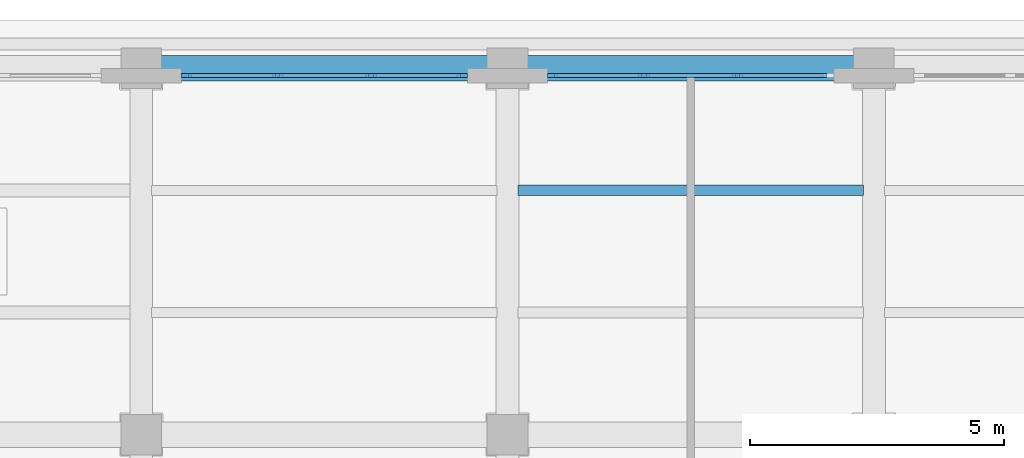
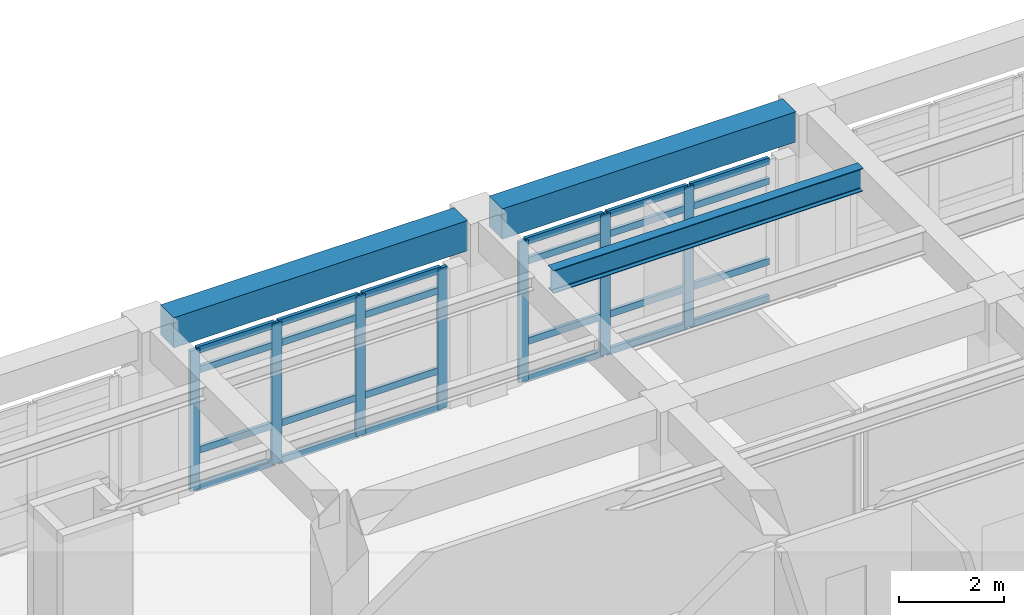
# One storey, part 56 of 98: 31 members, 3 beams, 2 elements without a shape of their own.
"""IFC4 building model written with IfcOpenShell, lengths in metres."""

from ifc_helpers import new_model, si_unit, direction, frame, origin, origin_2d, place, context, subcontext, project, spatial, rectangle, i_section, extrude, material, layer, layer_set, material_profile, profile_set, type_object, element, aggregate, save


model = new_model("IFC4")

# Units and contexts
model_context = context("Model", 3, precision=1e-05, world=origin(), true_north=direction((0.0, 1.0)))
body_context = subcontext(model_context, "Body", "Model", "MODEL_VIEW")
ifc_project = project(units=[si_unit("LENGTHUNIT", "METRE"), si_unit("AREAUNIT", "SQUARE_METRE"), si_unit("VOLUMEUNIT", "CUBIC_METRE"), si_unit("PLANEANGLEUNIT", "RADIAN"), si_unit("MASSUNIT", "GRAM", prefix="KILO")], contexts=[model_context])

# Site, building, storey
site_placement = place(None, origin())
site = spatial("IfcSite", under=ifc_project, at=site_placement, CompositionType="ELEMENT")
building_placement = place(site_placement, origin())
building = spatial("IfcBuilding", under=site, at=building_placement, Name="Solenvale Faculty of Natural Sciences", CompositionType="ELEMENT")
storey_placement = place(building_placement, frame((0.0, 0.0, 9.0)))
storey = spatial("IfcBuildingStorey", under=building, at=storey_placement, Name="L02", CompositionType="ELEMENT", Elevation=9.0)

# Beams
ifc_material_1 = material(Name="Precast concrete 40 MPa", Category="concrete")
ifc_material_profile_1 = material_profile(ifc_material_1, rectangle(XDim=0.5, YDim=0.699951171875, at=origin_2d()), Name="RC-BM-500x700")
ifc_profile_set_1 = profile_set([ifc_material_profile_1], Name="Precast concrete 40 MPa")
beam_type_1 = type_object("IfcBeamType", Name="BM-SPN-PRC-700", PredefinedType="SPANDREL", material=ifc_profile_set_1)
for number, where, z_axis, x_axis, name in (
    (1, (115.580078125, 115.199951171875, 3.8701171875), (1.0, 0.0, 0.0), (0.0, 1.0, 0.0), "L02 X-Girder Y115.2 (115.2..122.4)"),
    (2, (122.780029296875, 115.199951171875, 3.8701171875), (1.0, 0.0, 0.0), (0.0, 1.0, 0.0), "L02 X-Girder Y115.2 (122.4..129.6)"),
):
    element("IfcBeam", number, at=place(storey_placement, frame(where, z_axis=z_axis, x_axis=x_axis)), inside=storey, type_object=beam_type_1, Name=name, PredefinedType="SPANDREL", context=body_context, shape_type="SweptSolid", body=[
        extrude(rectangle(XDim=0.5, YDim=0.699951171875, at=origin_2d()), origin(), (0.0, 0.0, 1.0), 6.43994140625),
    ])
ifc_material_2 = material(Name="Steel S355", Category="steel")
ifc_material_profile_2 = material_profile(ifc_material_2, i_section(OverallWidth=0.208984375, OverallDepth=0.532958984375, WebThickness=0.01025390625, FlangeThickness=0.015625, FilletRadius=0.01904296875, at=origin_2d()), Name="W530x92")
ifc_profile_set_2 = profile_set([ifc_material_profile_2], Name="Steel S355")
beam_type_2 = type_object("IfcBeamType", Name="BM-STL-W530x92", PredefinedType="JOIST", material=ifc_profile_set_2)
beam_placement = place(storey_placement, frame((122.60498046875, 112.800048828125, 3.95361328125), z_axis=(1.0, 0.0, 0.0), x_axis=(0.0, 1.0, 0.0)))
element("IfcBeam", 3, at=beam_placement, inside=storey, type_object=beam_type_2, Name="L02 Composite Floor Joist (18,16).2", PredefinedType="JOIST", context=body_context, shape_type="SweptSolid", body=[
    extrude(i_section(OverallWidth=0.208984375, OverallDepth=0.532958984375, WebThickness=0.01025390625, FlangeThickness=0.015625, FilletRadius=0.01904296875, at=origin_2d()), origin(), (0.0, 0.0, 1.0), 6.7900390625),
])

# Curtain wall, members
ifc_material_3 = material(Name="Anodised bronze aluminium", Category="aluminium")
ifc_layer = layer(ifc_material_3, 0.179931640625)
ifc_layer_set = layer_set([ifc_layer], Name="Anodised bronze aluminium")
curtain_wall_type = type_object("IfcCurtainWallType", Name="CW-TWR-MOD", PredefinedType="USERDEFINED", material=ifc_layer_set)
curtain_wall_1_placement = place(storey_placement, origin())
curtain_wall_1 = element("IfcCurtainWall", 4, at=curtain_wall_1_placement, inside=storey, type_object=curtain_wall_type, Name="L02 Curtain Wall CW-L02-P2-E4-B4", ObjectType="UNITISED CURTAIN WALL", PredefinedType="USERDEFINED")
ifc_material_profile_3 = material_profile(ifc_material_3, rectangle(XDim=0.074951171875, YDim=0.2099609375, at=origin_2d()), Name="ALU-MUL-75x210")
ifc_profile_set_3 = profile_set([ifc_material_profile_3], Name="Anodised bronze aluminium")
member_type_1 = type_object("IfcMemberType", Name="CWM-ALU-75x210", PredefinedType="MULLION", material=ifc_profile_set_3)
member_1_placement = place(storey_placement, frame((126.916748046875, 115.0576171875, 0.0), z_axis=(0.0, 0.0, 1.0), x_axis=(0.0, -1.0, 0.0)))
member_1 = element("IfcMember", 5, at=member_1_placement, type_object=member_type_1, Name="CW-04 mullion 2", PredefinedType="MULLION", context=body_context, shape_type="SweptSolid", body=[
    extrude(rectangle(XDim=0.074951171875, YDim=0.2099609375, at=origin_2d()), origin(), (0.0, 0.0, 1.0), 3.260009765625),
])
member_2_placement = place(storey_placement, frame((125.083251953125, 115.0576171875, 0.0), z_axis=(0.0, 0.0, 1.0), x_axis=(0.0, -1.0, 0.0)))
member_2 = element("IfcMember", 6, at=member_2_placement, type_object=member_type_1, Name="CW-04 mullion 3", PredefinedType="MULLION", context=body_context, shape_type="SweptSolid", body=[
    extrude(rectangle(XDim=0.074951171875, YDim=0.2099609375, at=origin_2d()), origin(), (0.0, 0.0, 1.0), 3.260009765625),
])
member_3_placement = place(storey_placement, frame((123.28759765625, 115.0576171875, 0.0), z_axis=(0.0, 0.0, 1.0), x_axis=(0.0, -1.0, 0.0)))
member_3 = element("IfcMember", 7, at=member_3_placement, type_object=member_type_1, Name="CW-04 mullion 4", PredefinedType="MULLION", context=body_context, shape_type="SweptSolid", body=[
    extrude(rectangle(XDim=0.074951171875, YDim=0.2099609375, at=origin_2d()), origin(), (0.0, 0.0, 1.0), 3.260009765625),
])

curtain_wall_2_placement = place(storey_placement, origin())
curtain_wall_2 = element("IfcCurtainWall", 8, at=curtain_wall_2_placement, inside=storey, type_object=curtain_wall_type, Name="L02 Curtain Wall CW-L02-P2-E4-B5", ObjectType="UNITISED CURTAIN WALL", PredefinedType="USERDEFINED")
member_4_placement = place(storey_placement, frame((121.512451171875, 115.0576171875, 0.0), z_axis=(0.0, 0.0, 1.0), x_axis=(0.0, -1.0, 0.0)))
member_4 = element("IfcMember", 9, at=member_4_placement, type_object=member_type_1, Name="CW-04 mullion 1", PredefinedType="MULLION", context=body_context, shape_type="SweptSolid", body=[
    extrude(rectangle(XDim=0.074951171875, YDim=0.2099609375, at=origin_2d()), origin(), (0.0, 0.0, 1.0), 3.260009765625),
])
member_5_placement = place(storey_placement, frame((119.716552734375, 115.0576171875, 0.0), z_axis=(0.0, 0.0, 1.0), x_axis=(0.0, -1.0, 0.0)))
member_5 = element("IfcMember", 10, at=member_5_placement, type_object=member_type_1, Name="CW-04 mullion 2", PredefinedType="MULLION", context=body_context, shape_type="SweptSolid", body=[
    extrude(rectangle(XDim=0.074951171875, YDim=0.2099609375, at=origin_2d()), origin(), (0.0, 0.0, 1.0), 3.260009765625),
])
member_6_placement = place(storey_placement, frame((117.88330078125, 115.0576171875, 0.0), z_axis=(0.0, 0.0, 1.0), x_axis=(0.0, -1.0, 0.0)))
member_6 = element("IfcMember", 11, at=member_6_placement, type_object=member_type_1, Name="CW-04 mullion 3", PredefinedType="MULLION", context=body_context, shape_type="SweptSolid", body=[
    extrude(rectangle(XDim=0.074951171875, YDim=0.2099609375, at=origin_2d()), origin(), (0.0, 0.0, 1.0), 3.260009765625),
])
member_7_placement = place(storey_placement, frame((116.08740234375, 115.0576171875, 0.0), z_axis=(0.0, 0.0, 1.0), x_axis=(0.0, -1.0, 0.0)))
member_7 = element("IfcMember", 12, at=member_7_placement, type_object=member_type_1, Name="CW-04 mullion 4", PredefinedType="MULLION", context=body_context, shape_type="SweptSolid", body=[
    extrude(rectangle(XDim=0.074951171875, YDim=0.2099609375, at=origin_2d()), origin(), (0.0, 0.0, 1.0), 3.260009765625),
])

# Member
ifc_material_profile_4 = material_profile(ifc_material_3, rectangle(XDim=0.074951171875, YDim=0.155029296875, at=origin_2d()), Name="ALU-TRN-75x155")
ifc_profile_set_4 = profile_set([ifc_material_profile_4], Name="Anodised bronze aluminium")
member_type_2 = type_object("IfcMemberType", Name="CWT-ALU-75x155", PredefinedType="USERDEFINED", material=ifc_profile_set_4)
member_8_placement = place(storey_placement, frame((128.675048828125, 115.0576171875, 0.03759765625), z_axis=(-1.0, 0.0, 0.0), x_axis=(0.0, -1.0, 0.0)))
member_8 = element("IfcMember", 13, at=member_8_placement, type_object=member_type_2, Name="CW-04 transom 1.1", ObjectType="TRANSOM", PredefinedType="USERDEFINED", context=body_context, shape_type="SweptSolid", body=[
    extrude(rectangle(XDim=0.074951171875, YDim=0.155029296875, at=origin_2d()), origin(), (0.0, 0.0, 1.0), 1.720947265625),
])

member_9_placement = place(storey_placement, frame((128.675048828125, 115.0576171875, 0.89990234375), z_axis=(-1.0, 0.0, 0.0), x_axis=(0.0, -1.0, 0.0)))
member_9 = element("IfcMember", 14, at=member_9_placement, type_object=member_type_2, Name="CW-04 transom 1.2", ObjectType="TRANSOM", PredefinedType="USERDEFINED", context=body_context, shape_type="SweptSolid", body=[
    extrude(rectangle(XDim=0.074951171875, YDim=0.155029296875, at=origin_2d()), origin(), (0.0, 0.0, 1.0), 1.720947265625),
])

member_10_placement = place(storey_placement, frame((128.675048828125, 115.0576171875, 2.760009765625), z_axis=(-1.0, 0.0, 0.0), x_axis=(0.0, -1.0, 0.0)))
member_10 = element("IfcMember", 15, at=member_10_placement, type_object=member_type_2, Name="CW-04 transom 1.3", ObjectType="TRANSOM", PredefinedType="USERDEFINED", context=body_context, shape_type="SweptSolid", body=[
    extrude(rectangle(XDim=0.074951171875, YDim=0.155029296875, at=origin_2d()), origin(), (0.0, 0.0, 1.0), 1.720947265625),
])

member_11_placement = place(storey_placement, frame((128.675048828125, 115.0576171875, 3.222412109375), z_axis=(-1.0, 0.0, 0.0), x_axis=(0.0, -1.0, 0.0)))
member_11 = element("IfcMember", 16, at=member_11_placement, type_object=member_type_2, Name="CW-04 transom 1.4", ObjectType="TRANSOM", PredefinedType="USERDEFINED", context=body_context, shape_type="SweptSolid", body=[
    extrude(rectangle(XDim=0.074951171875, YDim=0.155029296875, at=origin_2d()), origin(), (0.0, 0.0, 1.0), 1.720947265625),
])

member_12_placement = place(storey_placement, frame((126.879150390625, 115.0576171875, 0.03759765625), z_axis=(-1.0, 0.0, 0.0), x_axis=(0.0, -1.0, 0.0)))
member_12 = element("IfcMember", 17, at=member_12_placement, type_object=member_type_2, Name="CW-04 transom 2.1", ObjectType="TRANSOM", PredefinedType="USERDEFINED", context=body_context, shape_type="SweptSolid", body=[
    extrude(rectangle(XDim=0.074951171875, YDim=0.155029296875, at=origin_2d()), origin(), (0.0, 0.0, 1.0), 1.75830078125),
])

member_13_placement = place(storey_placement, frame((126.879150390625, 115.0576171875, 0.89990234375), z_axis=(-1.0, 0.0, 0.0), x_axis=(0.0, -1.0, 0.0)))
member_13 = element("IfcMember", 18, at=member_13_placement, type_object=member_type_2, Name="CW-04 transom 2.2", ObjectType="TRANSOM", PredefinedType="USERDEFINED", context=body_context, shape_type="SweptSolid", body=[
    extrude(rectangle(XDim=0.074951171875, YDim=0.155029296875, at=origin_2d()), origin(), (0.0, 0.0, 1.0), 1.75830078125),
])

member_14_placement = place(storey_placement, frame((126.879150390625, 115.0576171875, 2.760009765625), z_axis=(-1.0, 0.0, 0.0), x_axis=(0.0, -1.0, 0.0)))
member_14 = element("IfcMember", 19, at=member_14_placement, type_object=member_type_2, Name="CW-04 transom 2.3", ObjectType="TRANSOM", PredefinedType="USERDEFINED", context=body_context, shape_type="SweptSolid", body=[
    extrude(rectangle(XDim=0.074951171875, YDim=0.155029296875, at=origin_2d()), origin(), (0.0, 0.0, 1.0), 1.75830078125),
])

member_15_placement = place(storey_placement, frame((126.879150390625, 115.0576171875, 3.222412109375), z_axis=(-1.0, 0.0, 0.0), x_axis=(0.0, -1.0, 0.0)))
member_15 = element("IfcMember", 20, at=member_15_placement, type_object=member_type_2, Name="CW-04 transom 2.4", ObjectType="TRANSOM", PredefinedType="USERDEFINED", context=body_context, shape_type="SweptSolid", body=[
    extrude(rectangle(XDim=0.074951171875, YDim=0.155029296875, at=origin_2d()), origin(), (0.0, 0.0, 1.0), 1.75830078125),
])

member_16_placement = place(storey_placement, frame((125.0458984375, 115.0576171875, 0.03759765625), z_axis=(-1.0, 0.0, 0.0), x_axis=(0.0, -1.0, 0.0)))
member_16 = element("IfcMember", 21, at=member_16_placement, type_object=member_type_2, Name="CW-04 transom 3.1", ObjectType="TRANSOM", PredefinedType="USERDEFINED", context=body_context, shape_type="SweptSolid", body=[
    extrude(rectangle(XDim=0.074951171875, YDim=0.155029296875, at=origin_2d()), origin(), (0.0, 0.0, 1.0), 1.720947265625),
])

member_17_placement = place(storey_placement, frame((125.0458984375, 115.0576171875, 0.89990234375), z_axis=(-1.0, 0.0, 0.0), x_axis=(0.0, -1.0, 0.0)))
member_17 = element("IfcMember", 22, at=member_17_placement, type_object=member_type_2, Name="CW-04 transom 3.2", ObjectType="TRANSOM", PredefinedType="USERDEFINED", context=body_context, shape_type="SweptSolid", body=[
    extrude(rectangle(XDim=0.074951171875, YDim=0.155029296875, at=origin_2d()), origin(), (0.0, 0.0, 1.0), 1.720947265625),
])

member_18_placement = place(storey_placement, frame((125.0458984375, 115.0576171875, 2.760009765625), z_axis=(-1.0, 0.0, 0.0), x_axis=(0.0, -1.0, 0.0)))
member_18 = element("IfcMember", 23, at=member_18_placement, type_object=member_type_2, Name="CW-04 transom 3.3", ObjectType="TRANSOM", PredefinedType="USERDEFINED", context=body_context, shape_type="SweptSolid", body=[
    extrude(rectangle(XDim=0.074951171875, YDim=0.155029296875, at=origin_2d()), origin(), (0.0, 0.0, 1.0), 1.720947265625),
])

member_19_placement = place(storey_placement, frame((125.0458984375, 115.0576171875, 3.222412109375), z_axis=(-1.0, 0.0, 0.0), x_axis=(0.0, -1.0, 0.0)))
member_19 = element("IfcMember", 24, at=member_19_placement, type_object=member_type_2, Name="CW-04 transom 3.4", ObjectType="TRANSOM", PredefinedType="USERDEFINED", context=body_context, shape_type="SweptSolid", body=[
    extrude(rectangle(XDim=0.074951171875, YDim=0.155029296875, at=origin_2d()), origin(), (0.0, 0.0, 1.0), 1.720947265625),
])

aggregate(curtain_wall_1, [member_1, member_2, member_3, member_8, member_9, member_10, member_11, member_12, member_13, member_14, member_15, member_16, member_17, member_18, member_19])

member_20_placement = place(storey_placement, frame((121.47509765625, 115.0576171875, 0.03759765625), z_axis=(-1.0, 0.0, 0.0), x_axis=(0.0, -1.0, 0.0)))
member_20 = element("IfcMember", 25, at=member_20_placement, type_object=member_type_2, Name="CW-04 transom 1.1", ObjectType="TRANSOM", PredefinedType="USERDEFINED", context=body_context, shape_type="SweptSolid", body=[
    extrude(rectangle(XDim=0.074951171875, YDim=0.155029296875, at=origin_2d()), origin(), (0.0, 0.0, 1.0), 1.720947265625),
])

member_21_placement = place(storey_placement, frame((121.47509765625, 115.0576171875, 0.89990234375), z_axis=(-1.0, 0.0, 0.0), x_axis=(0.0, -1.0, 0.0)))
member_21 = element("IfcMember", 26, at=member_21_placement, type_object=member_type_2, Name="CW-04 transom 1.2", ObjectType="TRANSOM", PredefinedType="USERDEFINED", context=body_context, shape_type="SweptSolid", body=[
    extrude(rectangle(XDim=0.074951171875, YDim=0.155029296875, at=origin_2d()), origin(), (0.0, 0.0, 1.0), 1.720947265625),
])

member_22_placement = place(storey_placement, frame((121.47509765625, 115.0576171875, 2.760009765625), z_axis=(-1.0, 0.0, 0.0), x_axis=(0.0, -1.0, 0.0)))
member_22 = element("IfcMember", 27, at=member_22_placement, type_object=member_type_2, Name="CW-04 transom 1.3", ObjectType="TRANSOM", PredefinedType="USERDEFINED", context=body_context, shape_type="SweptSolid", body=[
    extrude(rectangle(XDim=0.074951171875, YDim=0.155029296875, at=origin_2d()), origin(), (0.0, 0.0, 1.0), 1.720947265625),
])

member_23_placement = place(storey_placement, frame((121.47509765625, 115.0576171875, 3.222412109375), z_axis=(-1.0, 0.0, 0.0), x_axis=(0.0, -1.0, 0.0)))
member_23 = element("IfcMember", 28, at=member_23_placement, type_object=member_type_2, Name="CW-04 transom 1.4", ObjectType="TRANSOM", PredefinedType="USERDEFINED", context=body_context, shape_type="SweptSolid", body=[
    extrude(rectangle(XDim=0.074951171875, YDim=0.155029296875, at=origin_2d()), origin(), (0.0, 0.0, 1.0), 1.720947265625),
])

member_24_placement = place(storey_placement, frame((119.67919921875, 115.0576171875, 0.03759765625), z_axis=(-1.0, 0.0, 0.0), x_axis=(0.0, -1.0, 0.0)))
member_24 = element("IfcMember", 29, at=member_24_placement, type_object=member_type_2, Name="CW-04 transom 2.1", ObjectType="TRANSOM", PredefinedType="USERDEFINED", context=body_context, shape_type="SweptSolid", body=[
    extrude(rectangle(XDim=0.074951171875, YDim=0.155029296875, at=origin_2d()), origin(), (0.0, 0.0, 1.0), 1.75830078125),
])

member_25_placement = place(storey_placement, frame((119.67919921875, 115.0576171875, 0.89990234375), z_axis=(-1.0, 0.0, 0.0), x_axis=(0.0, -1.0, 0.0)))
member_25 = element("IfcMember", 30, at=member_25_placement, type_object=member_type_2, Name="CW-04 transom 2.2", ObjectType="TRANSOM", PredefinedType="USERDEFINED", context=body_context, shape_type="SweptSolid", body=[
    extrude(rectangle(XDim=0.074951171875, YDim=0.155029296875, at=origin_2d()), origin(), (0.0, 0.0, 1.0), 1.75830078125),
])

member_26_placement = place(storey_placement, frame((119.67919921875, 115.0576171875, 2.760009765625), z_axis=(-1.0, 0.0, 0.0), x_axis=(0.0, -1.0, 0.0)))
member_26 = element("IfcMember", 31, at=member_26_placement, type_object=member_type_2, Name="CW-04 transom 2.3", ObjectType="TRANSOM", PredefinedType="USERDEFINED", context=body_context, shape_type="SweptSolid", body=[
    extrude(rectangle(XDim=0.074951171875, YDim=0.155029296875, at=origin_2d()), origin(), (0.0, 0.0, 1.0), 1.75830078125),
])

member_27_placement = place(storey_placement, frame((119.67919921875, 115.0576171875, 3.222412109375), z_axis=(-1.0, 0.0, 0.0), x_axis=(0.0, -1.0, 0.0)))
member_27 = element("IfcMember", 32, at=member_27_placement, type_object=member_type_2, Name="CW-04 transom 2.4", ObjectType="TRANSOM", PredefinedType="USERDEFINED", context=body_context, shape_type="SweptSolid", body=[
    extrude(rectangle(XDim=0.074951171875, YDim=0.155029296875, at=origin_2d()), origin(), (0.0, 0.0, 1.0), 1.75830078125),
])

member_28_placement = place(storey_placement, frame((117.845947265625, 115.0576171875, 0.03759765625), z_axis=(-1.0, 0.0, 0.0), x_axis=(0.0, -1.0, 0.0)))
member_28 = element("IfcMember", 33, at=member_28_placement, type_object=member_type_2, Name="CW-04 transom 3.1", ObjectType="TRANSOM", PredefinedType="USERDEFINED", context=body_context, shape_type="SweptSolid", body=[
    extrude(rectangle(XDim=0.074951171875, YDim=0.155029296875, at=origin_2d()), origin(), (0.0, 0.0, 1.0), 1.720947265625),
])

member_29_placement = place(storey_placement, frame((117.845947265625, 115.0576171875, 0.89990234375), z_axis=(-1.0, 0.0, 0.0), x_axis=(0.0, -1.0, 0.0)))
member_29 = element("IfcMember", 34, at=member_29_placement, type_object=member_type_2, Name="CW-04 transom 3.2", ObjectType="TRANSOM", PredefinedType="USERDEFINED", context=body_context, shape_type="SweptSolid", body=[
    extrude(rectangle(XDim=0.074951171875, YDim=0.155029296875, at=origin_2d()), origin(), (0.0, 0.0, 1.0), 1.720947265625),
])

member_30_placement = place(storey_placement, frame((117.845947265625, 115.0576171875, 2.760009765625), z_axis=(-1.0, 0.0, 0.0), x_axis=(0.0, -1.0, 0.0)))
member_30 = element("IfcMember", 35, at=member_30_placement, type_object=member_type_2, Name="CW-04 transom 3.3", ObjectType="TRANSOM", PredefinedType="USERDEFINED", context=body_context, shape_type="SweptSolid", body=[
    extrude(rectangle(XDim=0.074951171875, YDim=0.155029296875, at=origin_2d()), origin(), (0.0, 0.0, 1.0), 1.720947265625),
])

member_31_placement = place(storey_placement, frame((117.845947265625, 115.0576171875, 3.222412109375), z_axis=(-1.0, 0.0, 0.0), x_axis=(0.0, -1.0, 0.0)))
member_31 = element("IfcMember", 36, at=member_31_placement, type_object=member_type_2, Name="CW-04 transom 3.4", ObjectType="TRANSOM", PredefinedType="USERDEFINED", context=body_context, shape_type="SweptSolid", body=[
    extrude(rectangle(XDim=0.074951171875, YDim=0.155029296875, at=origin_2d()), origin(), (0.0, 0.0, 1.0), 1.720947265625),
])

aggregate(curtain_wall_2, [member_4, member_5, member_6, member_7, member_20, member_21, member_22, member_23, member_24, member_25, member_26, member_27, member_28, member_29, member_30, member_31])

save(model, "model.ifc")
